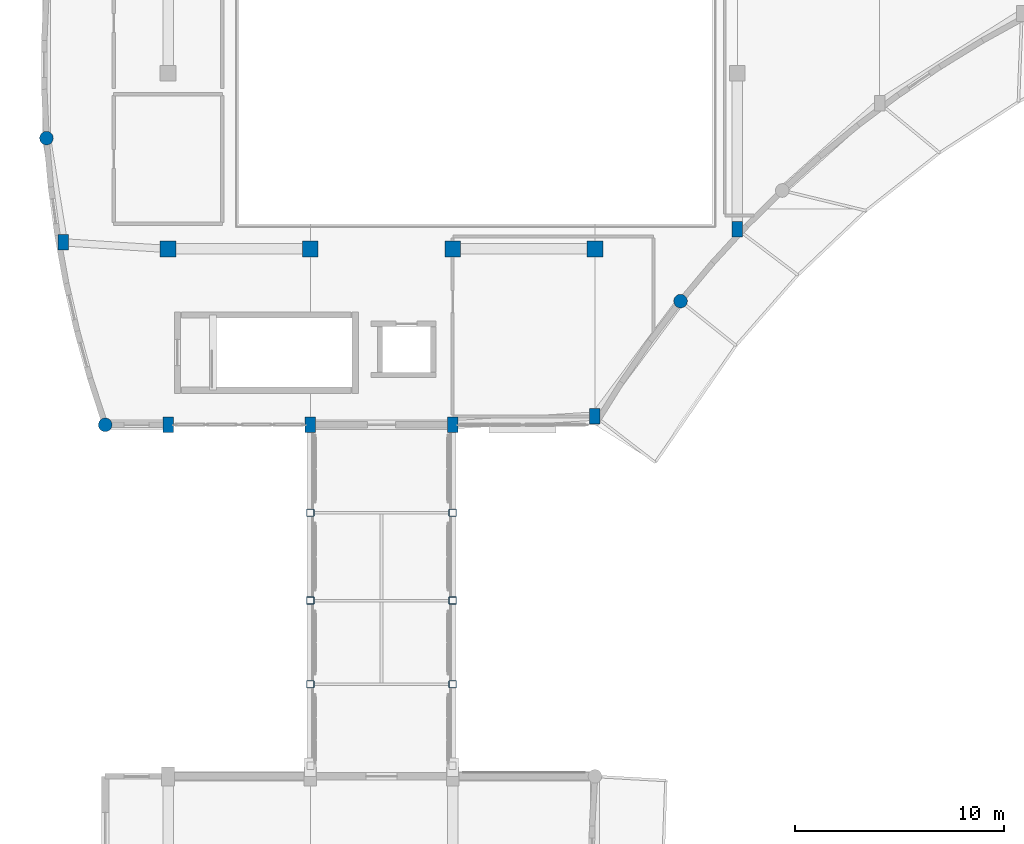
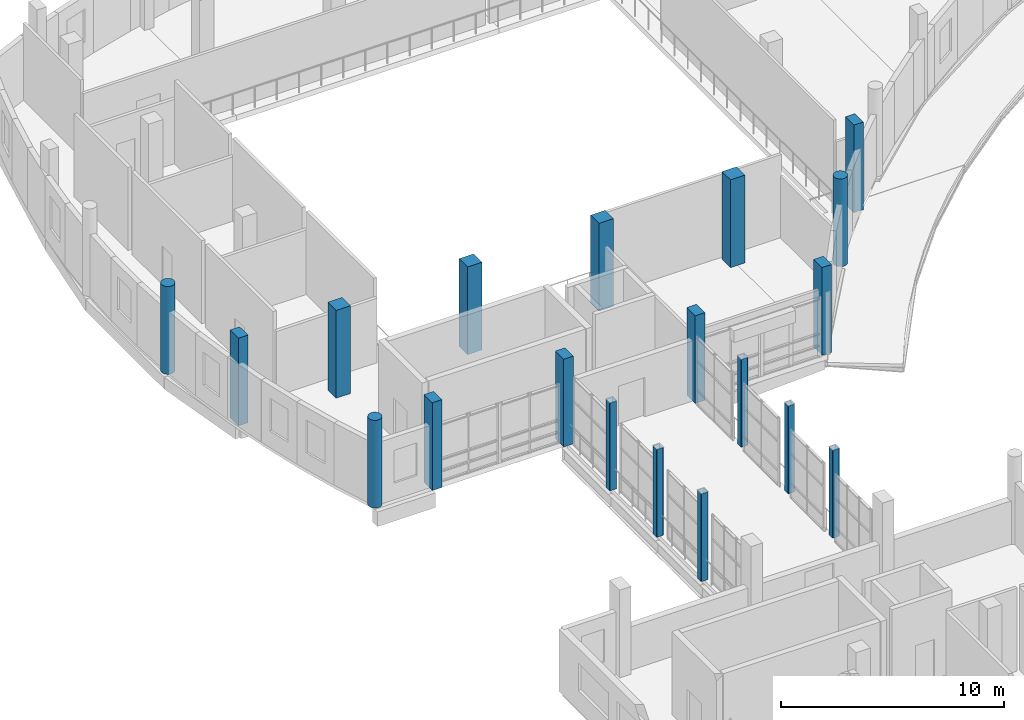
# One storey, part 4 of 106: 19 columns.
"""IFC4 building model written with IfcOpenShell, lengths in metres."""

from ifc_helpers import new_model, si_unit, direction, frame, origin, origin_2d, place, context, subcontext, project, spatial, rectangle, hollow_rectangle, circle, extrude, material, material_profile, profile_set, type_object, element, save


model = new_model("IFC4")

# Units and contexts
model_context = context("Model", 3, precision=1e-05, world=origin(), true_north=direction((0.0, 1.0)))
body_context = subcontext(model_context, "Body", "Model", "MODEL_VIEW")
ifc_project = project(units=[si_unit("LENGTHUNIT", "METRE"), si_unit("AREAUNIT", "SQUARE_METRE"), si_unit("VOLUMEUNIT", "CUBIC_METRE"), si_unit("PLANEANGLEUNIT", "RADIAN"), si_unit("MASSUNIT", "GRAM", prefix="KILO")], contexts=[model_context])

# Site, building, storey
site_placement = place(None, origin())
site = spatial("IfcSite", under=ifc_project, at=site_placement, CompositionType="ELEMENT")
building_placement = place(site_placement, origin())
building = spatial("IfcBuilding", under=site, at=building_placement, Name="Kisaragi Civic Commons", CompositionType="ELEMENT")
storey_placement = place(building_placement, frame((0.0, 0.0, 4.800048828125)))
storey = spatial("IfcBuildingStorey", under=building, at=storey_placement, Name="L01", CompositionType="ELEMENT", Elevation=4.800048828125)

# Columns
ifc_material_1 = material(Name="Concrete Fc36", Category="concrete")
ifc_material_profile_1 = material_profile(ifc_material_1, rectangle(XDim=0.75, YDim=0.75, at=origin_2d()), Name="RC-750x750", Category="concrete")
ifc_profile_set_1 = profile_set([ifc_material_profile_1], Name="Concrete Fc36")
column_type_1 = type_object("IfcColumnType", Name="C-02", PredefinedType="COLUMN", material=ifc_profile_set_1)
for number, where, z_axis, x_axis, name in (
    (1, (6.800048828125, 87.60009765625, 0.0), (0.0, 0.0, 1.0), (1.0, 0.0, 0.0), "L01 column C-02 (6.8,87.6)"),
    (2, (13.60009765625, 87.60009765625, 0.0), (0.0, 0.0, 1.0), (1.0, 0.0, 0.0), "L01 column C-02 (13.6,87.6)"),
    (3, (20.39990234375, 87.60009765625, 0.0), (0.0, 0.0, 1.0), (1.0, 0.0, 0.0), "L01 column C-02 (20.4,87.6)"),
    (4, (27.199951171875, 87.60009765625, 0.0), (0.0, 0.0, 1.0), (1.0, 0.0, 0.0), "L01 column C-02 (27.2,87.6)"),
):
    element("IfcColumn", number, at=place(storey_placement, frame(where, z_axis=z_axis, x_axis=x_axis)), inside=storey, type_object=column_type_1, Name=name, PredefinedType="COLUMN", context=body_context, shape_type="SweptSolid", body=[
        extrude(rectangle(XDim=0.75, YDim=0.75, at=origin_2d()), origin(), (0.0, 0.0, 1.0), 4.800048828125),
    ])
ifc_material_2 = material(Name="Concrete Fc30", Category="concrete")
ifc_material_profile_2 = material_profile(ifc_material_2, rectangle(XDim=0.5, YDim=0.75, at=origin_2d()), Name="RC-500x750", Category="concrete")
ifc_profile_set_2 = profile_set([ifc_material_profile_2], Name="Concrete Fc30")
column_type_2 = type_object("IfcColumnType", Name="C-10", PredefinedType="COLUMN", material=ifc_profile_set_2)
for number, where, z_axis, x_axis, name in (
    (5, (1.800048828125, 87.916259765625, 0.0), (0.0, 0.0, 1.0), (1.0, 0.0, 0.0), "L01 column C-10 (1.8,87.9)"),
    (6, (6.800048828125, 79.199951171875, 0.0), (0.0, 0.0, 1.0), (1.0, 0.0, 0.0), "L01 column C-10 (6.8,79.2)"),
    (7, (13.60009765625, 79.199951171875, 0.0), (0.0, 0.0, 1.0), (1.0, 0.0, 0.0), "L01 column C-10 (13.6,79.2)"),
    (8, (20.39990234375, 79.199951171875, 0.0), (0.0, 0.0, 1.0), (1.0, 0.0, 0.0), "L01 column C-10 (20.4,79.2)"),
    (9, (27.199951171875, 79.614501953125, 0.0), (0.0, 0.0, 1.0), (1.0, 0.0, 0.0), "L01 column C-10 (27.2,79.6)"),
    (10, (34.0, 88.544189453125, 0.0), (0.0, 0.0, 1.0), (1.0, 0.0, 0.0), "L01 column C-10 (34.0,88.5)"),
):
    element("IfcColumn", number, at=place(storey_placement, frame(where, z_axis=z_axis, x_axis=x_axis)), inside=storey, type_object=column_type_2, Name=name, PredefinedType="COLUMN", context=body_context, shape_type="SweptSolid", body=[
        extrude(rectangle(XDim=0.5, YDim=0.75, at=origin_2d()), origin(), (0.0, 0.0, 1.0), 4.800048828125),
    ])
ifc_material_profile_3 = material_profile(ifc_material_2, circle(Radius=0.324951171875, at=origin_2d()), Name="RC-D650", Category="concrete")
ifc_profile_set_3 = profile_set([ifc_material_profile_3], Name="Concrete Fc30")
column_type_3 = type_object("IfcColumnType", Name="C-12", PredefinedType="COLUMN", material=ifc_profile_set_3)
for number, where, z_axis, x_axis, name in (
    (11, (0.9912109375, 92.896484375, 0.0), (0.0, 0.0, 1.0), (1.0, 0.0, 0.0), "L01 column C-12 (1.0,92.9)"),
    (12, (3.800048828125, 79.199951171875, 0.0), (0.0, 0.0, 1.0), (1.0, 0.0, 0.0), "L01 column C-12 (3.8,79.2)"),
    (13, (31.2880859375, 85.107421875, 0.0), (0.0, 0.0, 1.0), (1.0, 0.0, 0.0), "L01 column C-12 (31.3,85.1)"),
):
    element("IfcColumn", number, at=place(storey_placement, frame(where, z_axis=z_axis, x_axis=x_axis)), inside=storey, type_object=column_type_3, Name=name, PredefinedType="COLUMN", context=body_context, shape_type="SweptSolid", body=[
        extrude(circle(Radius=0.324951171875, at=origin_2d()), origin(), (0.0, 0.0, 1.0), 4.800048828125),
    ])
ifc_material_3 = material(Name="Steel BCR295", Category="steel")
ifc_material_profile_4 = material_profile(ifc_material_3, hollow_rectangle(XDim=0.35009765625, YDim=0.35009765625, WallThickness=0.011962890625, InnerFilletRadius=0.011962890625, OuterFilletRadius=0.02392578125, at=origin_2d()), Name="BCR-350x350x12", Category="steel")
ifc_profile_set_4 = profile_set([ifc_material_profile_4], Name="Steel BCR295")
column_type_4 = type_object("IfcColumnType", Name="C-13", PredefinedType="COLUMN", material=ifc_profile_set_4)
for number, where, z_axis, x_axis, name in (
    (14, (13.60009765625, 66.800048828125, 0.0), (0.0, 0.0, 1.0), (1.0, 0.0, 0.0), "L01 column C-13 (13.6,66.8)"),
    (15, (13.60009765625, 70.800048828125, 0.0), (0.0, 0.0, 1.0), (1.0, 0.0, 0.0), "L01 column C-13 (13.6,70.8)"),
    (16, (13.60009765625, 75.0, 0.0), (0.0, 0.0, 1.0), (1.0, 0.0, 0.0), "L01 column C-13 (13.6,75.0)"),
    (17, (20.39990234375, 66.800048828125, 0.0), (0.0, 0.0, 1.0), (1.0, 0.0, 0.0), "L01 column C-13 (20.4,66.8)"),
    (18, (20.39990234375, 70.800048828125, 0.0), (0.0, 0.0, 1.0), (1.0, 0.0, 0.0), "L01 column C-13 (20.4,70.8)"),
    (19, (20.39990234375, 75.0, 0.0), (0.0, 0.0, 1.0), (1.0, 0.0, 0.0), "L01 column C-13 (20.4,75.0)"),
):
    element("IfcColumn", number, at=place(storey_placement, frame(where, z_axis=z_axis, x_axis=x_axis)), inside=storey, type_object=column_type_4, Name=name, PredefinedType="COLUMN", context=body_context, shape_type="SweptSolid", body=[
        extrude(hollow_rectangle(XDim=0.35009765625, YDim=0.35009765625, WallThickness=0.011962890625, InnerFilletRadius=0.011962890625, OuterFilletRadius=0.02392578125, at=origin_2d()), origin(), (0.0, 0.0, 1.0), 4.800048828125),
    ])

save(model, "model.ifc")
